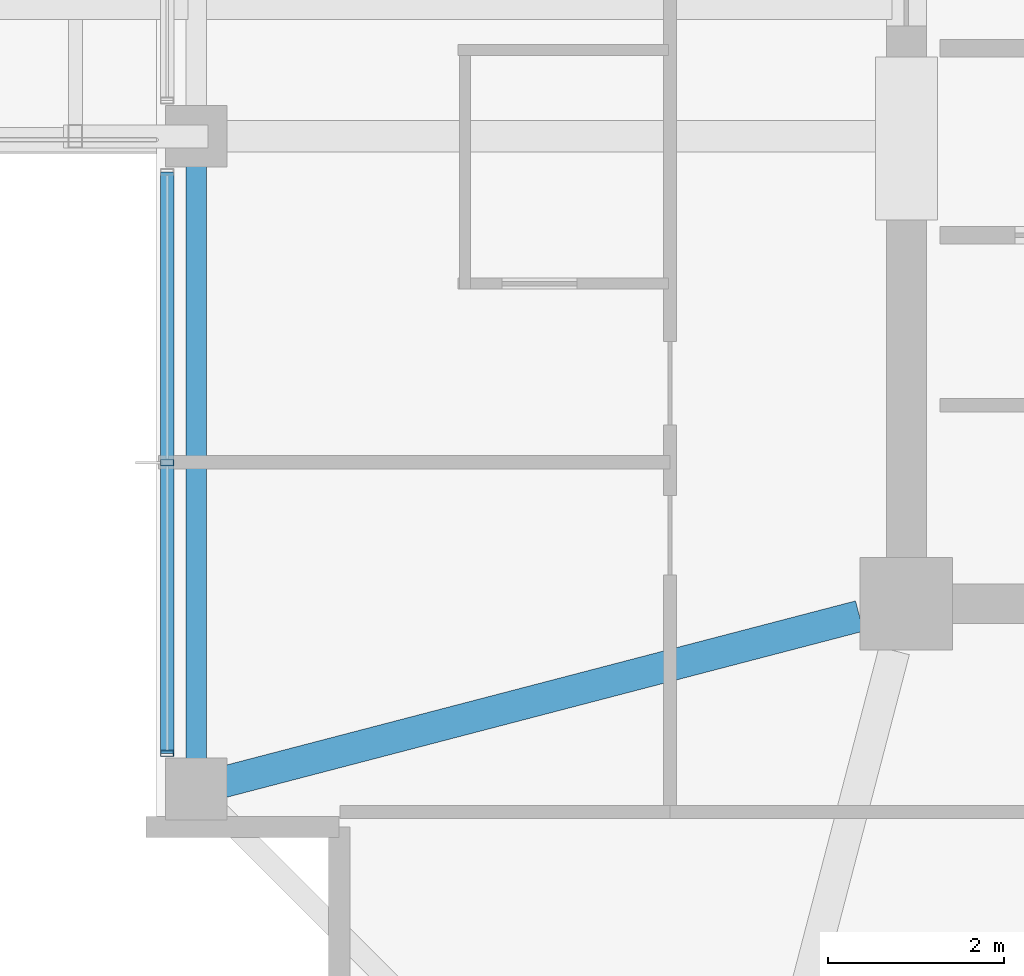
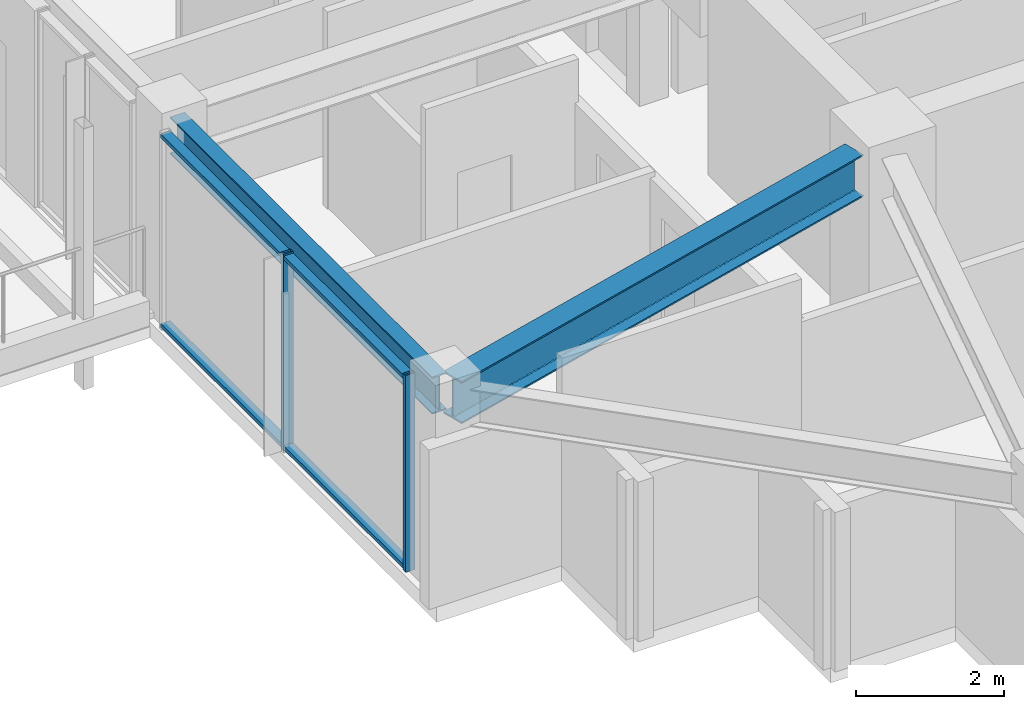
# One storey, part 3 of 34: 4 members, 2 beams, 1 element without a shape of its own.
"""IFC4 building model written with IfcOpenShell, lengths in metres."""

import ifcopenshell
import ifcopenshell.guid

model = None  # the IFC model being written
_history = None  # IfcOwnerHistory: only IFC2X3 demands one
_inside = {}  # id of a spatial element -> (the spatial element, [elements in it])
_under = {}  # id of a project, library or spatial element -> (it, [spatial elements below it])
_declared = {}  # id of a project -> (the project, [libraries it declares])
_typed = {}  # id of a type object -> (the type object, [elements of that type])
_made_of = {}  # id of a material, layer set ... -> (it, [elements and type objects made of it])


def new_model(schema):
    """Start an empty IFC model of exactly this schema.

    Asked for "IFC4X3", IfcOpenShell would pick the latest addendum, in which some entities
    have other attributes; the version numbers below select the first issue.
    IFC2X3 requires an IfcOwnerHistory on every rooted entity: one is made here for all.
    """
    global model, _history
    if schema == "IFC4X3":
        model = ifcopenshell.file(schema_version=(4, 3, 0, 0))
    else:
        model = ifcopenshell.file(schema=schema)
    _inside.clear()
    _under.clear()
    _declared.clear()
    _typed.clear()
    _made_of.clear()
    _history = None
    if model.schema == "IFC2X3":
        org = make("IfcOrganization", Name="unknown")
        user = make(
            "IfcPersonAndOrganization",
            ThePerson=make("IfcPerson", FamilyName="unknown"),
            TheOrganization=org,
        )
        app = make(
            "IfcApplication",
            ApplicationDeveloper=org,
            Version="unknown",
            ApplicationFullName="unknown",
            ApplicationIdentifier="unknown",
        )
        _history = make(
            "IfcOwnerHistory",
            OwningUser=user,
            OwningApplication=app,
            ChangeAction="ADDED",
            CreationDate=0,
        )
    return model


def make(cls, **values):
    """One entity of the class cls with the attributes given. An attribute that is None is left unset."""
    return model.create_entity(
        cls, **{name: value for name, value in values.items() if value is not None}
    )


def rooted(cls, **values):
    """An entity with a GlobalId (a new one), such as an element, a storey or a relation."""
    return make(cls, GlobalId=ifcopenshell.guid.new(), OwnerHistory=_history, **values)


def si_unit(unit_type, name, prefix=None):
    """IfcSIUnit, for example si_unit("LENGTHUNIT", "METRE", prefix="MILLI")."""
    return make("IfcSIUnit", UnitType=unit_type, Prefix=prefix, Name=name)


def assignment(units):
    """IfcUnitAssignment: the units of a project."""
    return None if units is None else make("IfcUnitAssignment", Units=units)


def point(xyz):
    """IfcCartesianPoint."""
    return None if xyz is None else make("IfcCartesianPoint", Coordinates=xyz)


def direction(xyz):
    """IfcDirection."""
    return None if xyz is None else make("IfcDirection", DirectionRatios=xyz)


def frame(location, z_axis=None, x_axis=None):
    """IfcAxis2Placement3D, a coordinate frame: its origin and axes. An axis left out is left unset."""
    return make(
        "IfcAxis2Placement3D",
        Location=point(location),
        Axis=direction(z_axis),
        RefDirection=direction(x_axis),
    )


def frame_2d(location, x_axis=None):
    """IfcAxis2Placement2D, a coordinate frame in the plane: its origin and x axis."""
    return make(
        "IfcAxis2Placement2D", Location=point(location), RefDirection=direction(x_axis)
    )


def origin():
    """The frame at (0, 0, 0) with its axes left unset."""
    return frame((0.0, 0.0, 0.0))


def origin_2d():
    """The frame at (0, 0) in the plane with its x axis left unset."""
    return frame_2d((0.0, 0.0))


def place(relative_to, where):
    """IfcLocalPlacement: puts the frame where relative to a parent placement (None: the world)."""
    return make(
        "IfcLocalPlacement", PlacementRelTo=relative_to, RelativePlacement=where
    )


def context(
    kind, dimensions, precision=None, world=None, true_north=None, identifier=None
):
    """IfcGeometricRepresentationContext, for example the 3D "Model" context."""
    return make(
        "IfcGeometricRepresentationContext",
        ContextIdentifier=identifier,
        ContextType=kind,
        CoordinateSpaceDimension=dimensions,
        Precision=precision,
        WorldCoordinateSystem=world,
        TrueNorth=true_north,
    )


def subcontext(parent, identifier, kind, view, scale=None):
    """IfcGeometricRepresentationSubContext, for example "Body" below "Model"."""
    return make(
        "IfcGeometricRepresentationSubContext",
        ContextIdentifier=identifier,
        ContextType=kind,
        ParentContext=parent,
        TargetScale=scale,
        TargetView=view,
    )


def project(units=None, contexts=None):
    """IfcProject with its units and contexts."""
    return rooted(
        "IfcProject",
        Name="project",
        RepresentationContexts=contexts,
        UnitsInContext=assignment(units),
    )


def spatial(cls, under=None, at=None, **own):
    """A site, building, storey or space (cls), placed at a placement, below another one or the project."""
    s = rooted(cls, ObjectPlacement=at, **own)
    if under is not None:
        _under.setdefault(under.id(), (under, []))[1].append(s)
    return s


def profile(cls, at=None, kind="AREA", **sizes):
    """A parametric profile (cls). Its sizes go by their IFC names, for example OverallWidth=200.0."""
    return make(cls, ProfileType=kind, Position=at, **sizes)


def hollow_rectangle(**sizes):
    """IfcRectangleHollowProfileDef."""
    return profile("IfcRectangleHollowProfileDef", **sizes)


def i_section(**sizes):
    """IfcIShapeProfileDef."""
    return profile("IfcIShapeProfileDef", **sizes)


def extrude(swept, where, along, depth):
    """IfcExtrudedAreaSolid: the profile swept, set in the frame where, extruded along a direction by depth."""
    return make(
        "IfcExtrudedAreaSolid",
        SweptArea=swept,
        Position=where,
        ExtrudedDirection=direction(along),
        Depth=depth,
    )


def shape(context_of_items, identifier, shape_type, items):
    """IfcShapeRepresentation: the items that make up one representation, for example the "Body"."""
    return make(
        "IfcShapeRepresentation",
        ContextOfItems=context_of_items,
        RepresentationIdentifier=identifier,
        RepresentationType=shape_type,
        Items=items,
    )


def material(Name=None, Category=None):
    """IfcMaterial."""
    return make("IfcMaterial", Name=Name, Category=Category)


def material_profile(
    of_material, cross_section, Name=None, Category=None, Priority=None
):
    """IfcMaterialProfile: a cross section and its material."""
    return make(
        "IfcMaterialProfile",
        Name=Name,
        Material=of_material,
        Profile=cross_section,
        Priority=Priority,
        Category=Category,
    )


def profile_set(profiles, Name=None, composite=None):
    """IfcMaterialProfileSet."""
    return make(
        "IfcMaterialProfileSet",
        Name=Name,
        MaterialProfiles=profiles,
        CompositeProfile=composite,
    )


def made_of(thing, what):
    """Note that an element or type object is made of a material, layer set ...; save() writes the relation."""
    if what is not None:
        _made_of.setdefault(what.id(), (what, []))[1].append(thing)
    return thing


def type_object(cls, material=None, **own):
    """A type object (cls), such as IfcWallType, which elements share."""
    return made_of(rooted(cls, **own), material)


def element(
    cls,
    number,
    at=None,
    inside=None,
    cuts=None,
    type_object=None,
    material=None,
    context=None,
    identifier="Body",
    shape_type=None,
    held_by="IfcProductDefinitionShape",
    body=None,
    shapes=None,
    **own,
):
    """One element of the class cls, such as IfcWall. Its Tag is "e" and its number.

    at: its placement. inside: the storey or other place that contains it. cuts: it is an
    opening in that element (IfcRelVoidsElement). A single representation is given by context,
    identifier, shape_type and body (its items); several are given by shapes. held_by: the class
    of the entity that holds the representations. save() writes the other relations.
    """
    e = rooted(cls, Tag="e%d" % number, ObjectPlacement=at, **own)
    if body is not None:
        shapes = [shape(context, identifier, shape_type, body)]
    if shapes is not None:
        e.Representation = make(held_by, Representations=shapes)
    if inside is not None:
        _inside.setdefault(inside.id(), (inside, []))[1].append(e)
    if cuts is not None:
        rooted(
            "IfcRelVoidsElement", RelatingBuildingElement=cuts, RelatedOpeningElement=e
        )
    if type_object is not None:
        _typed.setdefault(type_object.id(), (type_object, []))[1].append(e)
    return made_of(e, material)


def aggregate(whole, parts):
    """IfcRelAggregates: a whole, such as a stair, and the parts it consists of."""
    return rooted("IfcRelAggregates", RelatingObject=whole, RelatedObjects=parts)


def save(model, path):
    """Write the relations noted so far, then the file.

    IfcRelAggregates (storeys below a building ...), IfcRelContainedInSpatialStructure (elements
    in a storey), IfcRelDefinesByType, IfcRelAssociatesMaterial and IfcRelDeclares: one each for
    every whole, place, type object, material and project.
    """
    for whole, parts in _under.values():
        aggregate(whole, parts)
    for where, things in _inside.values():
        rooted(
            "IfcRelContainedInSpatialStructure",
            RelatedElements=things,
            RelatingStructure=where,
        )
    for kind, things in _typed.values():
        rooted("IfcRelDefinesByType", RelatedObjects=things, RelatingType=kind)
    for what, things in _made_of.values():
        rooted("IfcRelAssociatesMaterial", RelatedObjects=things, RelatingMaterial=what)
    for by, libraries in _declared.values():
        rooted("IfcRelDeclares", RelatingContext=by, RelatedDefinitions=libraries)
    model.write(path)


model = new_model("IFC4")

# Units and contexts
model_context = context("Model", 3, precision=1e-05, world=origin(), true_north=direction((0.0, 1.0)))
body_context = subcontext(model_context, "Body", "Model", "MODEL_VIEW")
ifc_project = project(units=[si_unit("LENGTHUNIT", "METRE"), si_unit("AREAUNIT", "SQUARE_METRE"), si_unit("VOLUMEUNIT", "CUBIC_METRE"), si_unit("PLANEANGLEUNIT", "RADIAN"), si_unit("MASSUNIT", "GRAM", prefix="KILO")], contexts=[model_context])

# Site, building, storey
site_placement = place(None, origin())
site = spatial("IfcSite", under=ifc_project, at=site_placement, CompositionType="ELEMENT")
building_placement = place(site_placement, origin())
building = spatial("IfcBuilding", under=site, at=building_placement, Name="Kolvaren Belvedere", CompositionType="ELEMENT")
storey_placement = place(building_placement, frame((0.0, 0.0, 240.89990234375)))
storey = spatial("IfcBuildingStorey", under=building, at=storey_placement, Name="L70", CompositionType="ELEMENT", Elevation=240.89990234375)

# Beams
ifc_material_1 = material(Name="Structural steel ASTM A992 Grade 50", Category="steel")
ifc_material_profile_1 = material_profile(ifc_material_1, i_section(OverallWidth=0.35498046875, OverallDepth=0.696044921875, WebThickness=0.015380859375, FlangeThickness=0.02490234375, FilletRadius=0.02197265625, at=origin_2d()), Name="W27X146")
ifc_profile_set_1 = profile_set([ifc_material_profile_1], Name="Structural steel ASTM A992 Grade 50")
beam_type_1 = type_object("IfcBeamType", Name="BM-GIRD-W27X146", PredefinedType="BEAM", material=ifc_profile_set_1)
beam_1_placement = place(storey_placement, frame((-10.43212890625, -10.038818359375, 2.902099609375), z_axis=(-0.967618631679, -0.25241668651, 0.0), x_axis=(0.25241668651, -0.967618631679, 0.0)))
element("IfcBeam", 1, at=beam_1_placement, inside=storey, type_object=beam_type_1, Name="L70 Corner Core-to-Perimeter Girder CC1-W1", PredefinedType="BEAM", context=body_context, shape_type="SweptSolid", body=[
    extrude(i_section(OverallWidth=0.35498046875, OverallDepth=0.696044921875, WebThickness=0.015380859375, FlangeThickness=0.02490234375, FilletRadius=0.02197265625, at=origin_2d()), origin(), (0.0, 0.0, 1.0), 7.62939453125),
])
ifc_material_2 = material(Name="Structural steel ASTM A992 Grade 50", Category="steel")
ifc_material_profile_2 = material_profile(ifc_material_2, i_section(OverallWidth=0.22900390625, OverallDepth=0.612060546875, WebThickness=0.011962890625, FlangeThickness=0.01953125, FilletRadius=0.01806640625, at=origin_2d()), Name="W24X84")
ifc_profile_set_2 = profile_set([ifc_material_profile_2], Name="Structural steel ASTM A992 Grade 50")
beam_type_2 = type_object("IfcBeamType", Name="BM-SPAN-W24X84", PredefinedType="SPANDREL", material=ifc_profile_set_2)
beam_2_placement = place(storey_placement, frame((-17.949951171875, -4.757568359375, 2.944091796875), z_axis=(0.0, -1.0, 0.0), x_axis=(1.0, 0.0, 0.0)))
element("IfcBeam", 2, at=beam_2_placement, inside=storey, type_object=beam_type_2, Name="L70 Perimeter Spandrel W2-W1", PredefinedType="SPANDREL", context=body_context, shape_type="SweptSolid", body=[
    extrude(i_section(OverallWidth=0.22900390625, OverallDepth=0.612060546875, WebThickness=0.011962890625, FlangeThickness=0.01953125, FilletRadius=0.01806640625, at=origin_2d()), origin(), (0.0, 0.0, 1.0), 7.0849609375),
])

# Curtain wall, members
ifc_material_3 = material(Name="Anodised pale-metal aluminium AA 6063-T6", Category="aluminium")
curtain_wall_type = type_object("IfcCurtainWallType", Name="CW-Z5-HIGH", PredefinedType="NOTDEFINED", material=ifc_material_3)
curtain_wall_placement = place(storey_placement, origin())
curtain_wall = element("IfcCurtainWall", 3, at=curtain_wall_placement, inside=storey, type_object=curtain_wall_type, Name="L70 Unitised Curtain Wall FCW-L70-W1-B1", PredefinedType="NOTDEFINED")
ifc_material_4 = material(Name="Anodised pale-metal aluminium AA 6063-T6", Category="aluminium")
ifc_material_profile_3 = material_profile(ifc_material_4, hollow_rectangle(XDim=0.070068359375, YDim=0.14990234375, WallThickness=0.004150390625, at=origin_2d()), Name="ALU-MUL-150X70")
ifc_profile_set_3 = profile_set([ifc_material_profile_3], Name="Anodised pale-metal aluminium AA 6063-T6")
member_type_1 = type_object("IfcMemberType", Name="CW-MUL-150", PredefinedType="MULLION", material=ifc_profile_set_3)
member_1_placement = place(storey_placement, frame((-18.280029296875, -11.594970703125, 0.0), z_axis=(0.0, 0.0, 1.0), x_axis=(0.0, 1.0, 0.0)))
member_1 = element("IfcMember", 4, at=member_1_placement, type_object=member_type_1, Name="FCW-L70-W1-B1 Unitised Mullion 1", PredefinedType="MULLION", context=body_context, shape_type="SweptSolid", body=[
    extrude(hollow_rectangle(XDim=0.070068359375, YDim=0.14990234375, WallThickness=0.004150390625, at=origin_2d()), origin(), (0.0, 0.0, 1.0), 3.25),
])
member_2_placement = place(storey_placement, frame((-18.280029296875, -8.300048828125, 0.0), z_axis=(0.0, 0.0, 1.0), x_axis=(0.0, 1.0, 0.0)))
member_2 = element("IfcMember", 5, at=member_2_placement, type_object=member_type_1, Name="FCW-L70-W1-B1 Unitised Mullion 2", PredefinedType="MULLION", context=body_context, shape_type="SweptSolid", body=[
    extrude(hollow_rectangle(XDim=0.070068359375, YDim=0.14990234375, WallThickness=0.004150390625, at=origin_2d()), origin(), (0.0, 0.0, 1.0), 3.25),
])
ifc_material_5 = material(Name="Anodised pale-metal aluminium AA 6063-T6", Category="aluminium")
ifc_material_profile_4 = material_profile(ifc_material_5, hollow_rectangle(XDim=0.06494140625, YDim=0.14990234375, WallThickness=0.00390625, at=origin_2d()), Name="ALU-TRN-150X65")
ifc_profile_set_4 = profile_set([ifc_material_profile_4], Name="Anodised pale-metal aluminium AA 6063-T6")
member_type_2 = type_object("IfcMemberType", Name="CW-TRN-150", PredefinedType="USERDEFINED", material=ifc_profile_set_4)
member_3_placement = place(storey_placement, frame((-18.280029296875, -11.594970703125, 0.06005859375), z_axis=(0.0, 1.0, 0.0), x_axis=(0.0, 0.0, 1.0)))
member_3 = element("IfcMember", 6, at=member_3_placement, type_object=member_type_2, Name="FCW-L70-W1-B1 Sill Transom", ObjectType="TRANSOM", PredefinedType="USERDEFINED", context=body_context, shape_type="SweptSolid", body=[
    extrude(hollow_rectangle(XDim=0.06494140625, YDim=0.14990234375, WallThickness=0.00390625, at=origin_2d()), origin(), (0.0, 0.0, 1.0), 6.590087890625),
])
member_4_placement = place(storey_placement, frame((-18.280029296875, -11.594970703125, 3.190185546875), z_axis=(0.0, 1.0, 0.0), x_axis=(0.0, 0.0, 1.0)))
member_4 = element("IfcMember", 7, at=member_4_placement, type_object=member_type_2, Name="FCW-L70-W1-B1 Head Transom", ObjectType="TRANSOM", PredefinedType="USERDEFINED", context=body_context, shape_type="SweptSolid", body=[
    extrude(hollow_rectangle(XDim=0.06494140625, YDim=0.14990234375, WallThickness=0.00390625, at=origin_2d()), origin(), (0.0, 0.0, 1.0), 6.590087890625),
])
aggregate(curtain_wall, [member_1, member_2, member_3, member_4])

save(model, "model.ifc")
